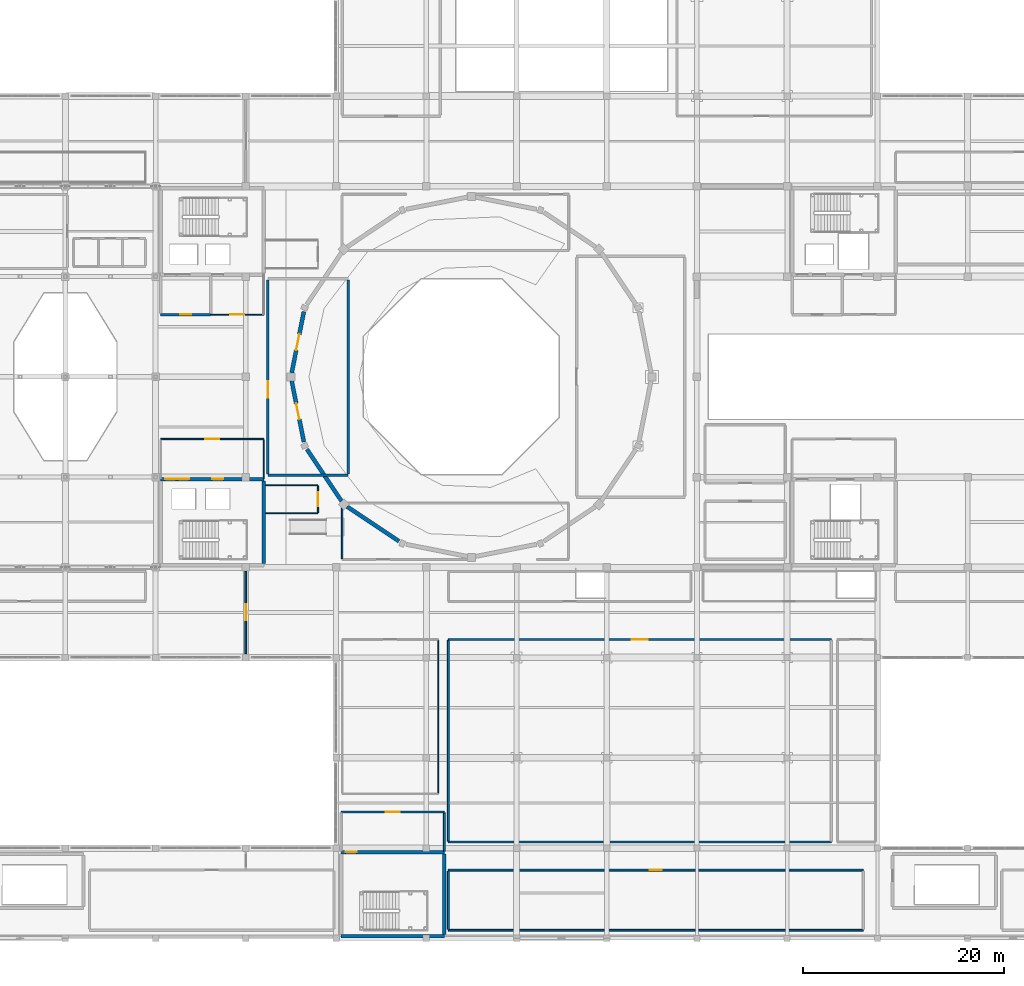
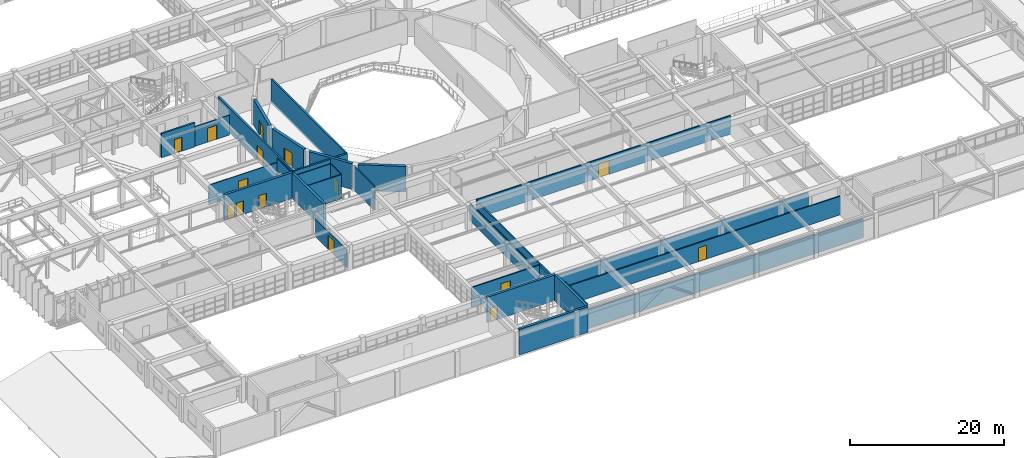
# One storey, part 109 of 130: 30 walls, 15 doors, 15 openings.
"""IFC4 building model written with IfcOpenShell, lengths in metres."""

from ifc_helpers import new_model, si_unit, direction, frame, frame_2d, origin, place, context, subcontext, project, spatial, rectangle, extrude, material, layer, layer_set, type_object, element, fill, save


model = new_model("IFC4")

# Units and contexts
model_context = context("Model", 3, precision=1e-05, world=origin(), true_north=direction((0.0, 1.0)))
body_context = subcontext(model_context, "Body", "Model", "MODEL_VIEW")
ifc_project = project(units=[si_unit("LENGTHUNIT", "METRE"), si_unit("AREAUNIT", "SQUARE_METRE"), si_unit("VOLUMEUNIT", "CUBIC_METRE"), si_unit("PLANEANGLEUNIT", "RADIAN"), si_unit("MASSUNIT", "GRAM", prefix="KILO")], contexts=[model_context])

# Site, building, storey
site_placement = place(None, origin())
site = spatial("IfcSite", under=ifc_project, at=site_placement, CompositionType="ELEMENT")
building_placement = place(site_placement, origin())
building = spatial("IfcBuilding", under=site, at=building_placement, Name="Miravela Opera House", CompositionType="ELEMENT")
storey_placement = place(building_placement, frame((0.0, 0.0, 9.52001953125)))
storey = spatial("IfcBuildingStorey", under=building, at=storey_placement, Name="L02", CompositionType="ELEMENT", Elevation=9.52001953125)

# Wall, opening, door
ifc_material_1 = material(Name="Acoustic metal-stud gypsum partition")
ifc_layer_1 = layer(ifc_material_1, 0.090087890625)
ifc_layer_set_1 = layer_set([ifc_layer_1])
wall_type_1 = type_object("IfcWallType", Name="ARC-PT-090", PredefinedType="PARTITIONING", material=ifc_layer_set_1)
wall_1_placement = place(storey_placement, frame((50.5, 62.199951171875, 0.0), z_axis=(0.0, 0.0, 1.0), x_axis=(1.0, 0.0, 0.0)))
wall_1 = element("IfcWall", 1, at=wall_1_placement, inside=storey, type_object=wall_type_1, Name="Passenger Lift Lobby K1 L02 Partition South", PredefinedType="PARTITIONING", context=body_context, shape_type="SweptSolid", body=[
    extrude(rectangle(XDim=5.300048828125, YDim=0.090087890625, at=frame_2d((2.64990234375, 0.0))), origin(), (0.0, 0.0, 1.0), 3.169921875),
])
opening_1_placement = place(wall_1_placement, frame((1.949951171875, 0.0, 0.0)))
opening_1 = element("IfcOpeningElement", 2, at=opening_1_placement, cuts=wall_1, Name="Opening FD-03", PredefinedType="OPENING", context=body_context, shape_type="SweptSolid", body=[
    extrude(rectangle(XDim=1.39990234375, YDim=2.199951171875, at=frame_2d((0.699951171875, 1.10009765625))), frame((0.0, 0.054931640625, 0.0), z_axis=(0.0, -1.0, 0.0), x_axis=(1.0, 0.0, 0.0)), (0.0, 0.0, 1.0), 0.110107421875),
])
ifc_material_2 = material(Name="Fire-rated lobby/archive double door")
door_type_1 = type_object("IfcDoorType", Name="ARC-FD-1400X2200", OperationType="NOTDEFINED", PredefinedType="DOOR", material=ifc_material_2)
door_1_placement = place(opening_1_placement, frame((1.39990234375, 0.0, 0.0), z_axis=(0.0, 0.0, 1.0), x_axis=(-1.0, 0.0, 0.0)))
door_1 = element("IfcDoor", 3, at=door_1_placement, inside=storey, type_object=door_type_1, Name="Passenger Lift Lobby K1 L02 Entry Door IDR-L02-0214", OperationType="DOUBLE_DOOR_SINGLE_SWING", OverallHeight=2.199951171875, OverallWidth=1.39990234375, PredefinedType="DOOR", context=body_context, shape_type="SweptSolid", body=[
    extrude(rectangle(XDim=1.39990234375, YDim=2.199951171875, at=frame_2d((0.699951171875, 1.10009765625))), frame((0.0, 0.02490234375, 0.0), z_axis=(0.0, -1.0, 0.0), x_axis=(1.0, 0.0, 0.0)), (0.0, 0.0, 1.0), 0.050048828125),
])
fill(opening_1, door_1)

ifc_material_3 = material(Name="Double-layer acoustic gypsum partition")
ifc_layer_2 = layer(ifc_material_3, 0.110107421875)
ifc_layer_set_2 = layer_set([ifc_layer_2])
wall_type_2 = type_object("IfcWallType", Name="ARC-PT-110", PredefinedType="PARTITIONING", material=ifc_layer_set_2)
wall_2_placement = place(storey_placement, frame((45.5, 49.800048828125, 0.0), z_axis=(0.0, 0.0, 1.0), x_axis=(1.0, 0.0, 0.0)))
wall_2 = element("IfcWall", 4, at=wall_2_placement, inside=storey, type_object=wall_type_2, Name="Passenger Lift Lobby K2 L02 Partition North", PredefinedType="PARTITIONING", context=body_context, shape_type="SweptSolid", body=[
    extrude(rectangle(XDim=10.300048828125, YDim=0.110107421875, at=frame_2d((5.14990234375, 0.0))), origin(), (0.0, 0.0, 1.0), 3.139892578125),
])
opening_2_placement = place(wall_2_placement, frame((4.449951171875, 0.0, 0.0)))
opening_2 = element("IfcOpeningElement", 5, at=opening_2_placement, cuts=wall_2, Name="Opening FD-03", PredefinedType="OPENING", context=body_context, shape_type="SweptSolid", body=[
    extrude(rectangle(XDim=1.39990234375, YDim=2.199951171875, at=frame_2d((0.699951171875, 1.10009765625))), frame((0.0, 0.06494140625, 0.0), z_axis=(0.0, -1.0, 0.0), x_axis=(1.0, 0.0, 0.0)), (0.0, 0.0, 1.0), 0.130126953125),
])
door_2_placement = place(opening_2_placement, origin())
door_2 = element("IfcDoor", 6, at=door_2_placement, inside=storey, type_object=door_type_1, Name="Passenger Lift Lobby K2 L02 Entry Door IDR-L02-0215", OperationType="DOUBLE_DOOR_SINGLE_SWING", OverallHeight=2.199951171875, OverallWidth=1.39990234375, PredefinedType="DOOR", context=body_context, shape_type="SweptSolid", body=[
    extrude(rectangle(XDim=1.39990234375, YDim=2.199951171875, at=frame_2d((0.699951171875, 1.10009765625))), frame((0.0, 0.02490234375, 0.0), z_axis=(0.0, -1.0, 0.0), x_axis=(1.0, 0.0, 0.0)), (0.0, 0.0, 1.0), 0.050048828125),
])
fill(opening_2, door_2)

# Walls
wall_3_placement = place(storey_placement, frame((55.800048828125, 45.85498046875, 0.0), z_axis=(0.0, 0.0, 1.0), x_axis=(0.0, 1.0, 0.0)))
element("IfcWall", 7, at=wall_3_placement, inside=storey, type_object=wall_type_2, Name="Passenger Lift Lobby K2 L02 Partition East", PredefinedType="PARTITIONING", context=body_context, shape_type="SweptSolid", body=[
    extrude(rectangle(XDim=3.89013671875, YDim=0.110107421875, at=frame_2d((1.945068359375, 0.0))), origin(), (0.0, 0.0, 1.0), 3.840087890625),
])
for number, where, z_axis, x_axis, name in (
    (8, (55.97509765625, 42.39990234375, 0.0), (0.0, 0.0, 1.0), (1.0, 0.0, 0.0), "Auditorium Balcony Vomitory L02 South Partition South"),
    (9, (55.97509765625, 45.199951171875, 0.0), (0.0, 0.0, 1.0), (1.0, 0.0, 0.0), "Auditorium Balcony Vomitory L02 South Partition North"),
):
    element("IfcWall", number, at=place(storey_placement, frame(where, z_axis=z_axis, x_axis=x_axis)), inside=storey, type_object=wall_type_2, Name=name, PredefinedType="PARTITIONING", context=body_context, shape_type="SweptSolid", body=[
        extrude(rectangle(XDim=5.224853515625, YDim=0.110107421875, at=frame_2d((2.6123046875, 0.0))), origin(), (0.0, 0.0, 1.0), 3.840087890625),
    ])

# Wall, opening, door
wall_4_placement = place(storey_placement, frame((61.199951171875, 42.455078125, 0.0), z_axis=(0.0, 0.0, 1.0), x_axis=(0.0, 1.0, 0.0)))
wall_4 = element("IfcWall", 10, at=wall_4_placement, inside=storey, type_object=wall_type_2, Name="Auditorium Balcony Vomitory L02 South Partition East", PredefinedType="PARTITIONING", context=body_context, shape_type="SweptSolid", body=[
    extrude(rectangle(XDim=2.68994140625, YDim=0.110107421875, at=frame_2d((1.344970703125, 0.0))), origin(), (0.0, 0.0, 1.0), 3.840087890625),
])
opening_3_placement = place(wall_4_placement, frame((0.64501953125, 0.0, 0.0)))
opening_3 = element("IfcOpeningElement", 11, at=opening_3_placement, cuts=wall_4, Name="Opening FD-03", PredefinedType="OPENING", context=body_context, shape_type="SweptSolid", body=[
    extrude(rectangle(XDim=1.39990234375, YDim=2.199951171875, at=frame_2d((0.699951171875, 1.10009765625))), frame((0.0, 0.06494140625, 0.0), z_axis=(0.0, -1.0, 0.0), x_axis=(1.0, 0.0, 0.0)), (0.0, 0.0, 1.0), 0.130126953125),
])
door_3_placement = place(opening_3_placement, frame((1.39990234375, 0.0, 0.0), z_axis=(0.0, 0.0, 1.0), x_axis=(-1.0, 0.0, 0.0)))
door_3 = element("IfcDoor", 12, at=door_3_placement, inside=storey, type_object=door_type_1, Name="Auditorium Balcony Vomitory L02 South Entry Door IDR-L02-0225", OperationType="DOUBLE_DOOR_SINGLE_SWING", OverallHeight=2.199951171875, OverallWidth=1.39990234375, PredefinedType="DOOR", context=body_context, shape_type="SweptSolid", body=[
    extrude(rectangle(XDim=1.39990234375, YDim=2.199951171875, at=frame_2d((0.699951171875, 1.10009765625))), frame((0.0, 0.02490234375, 0.0), z_axis=(0.0, -1.0, 0.0), x_axis=(1.0, 0.0, 0.0)), (0.0, 0.0, 1.0), 0.050048828125),
])
fill(opening_3, door_3)

# Walls
wall_5_placement = place(storey_placement, frame((73.199951171875, 14.455078125, 0.0), z_axis=(0.0, 0.0, 1.0), x_axis=(0.0, 1.0, 0.0)))
element("IfcWall", 13, at=wall_5_placement, inside=storey, type_object=wall_type_2, Name="Historical Period Tailoring Workshop Partition East", PredefinedType="PARTITIONING", context=body_context, shape_type="SweptSolid", body=[
    extrude(rectangle(XDim=15.2900390625, YDim=0.110107421875, at=frame_2d((7.64501953125, 0.0))), origin(), (0.0, 0.0, 1.0), 2.820068359375),
])
ifc_material_4 = material(Name="Studio double-stud acoustic partition")
ifc_layer_3 = layer(ifc_material_4, 0.14990234375)
ifc_layer_set_3 = layer_set([ifc_layer_3])
wall_type_3 = type_object("IfcWallType", Name="ARC-PT-145", PredefinedType="PARTITIONING", material=ifc_layer_set_3)
wall_6_placement = place(storey_placement, frame((63.60009765625, 37.875, 0.0), z_axis=(0.0, 0.0, 1.0), x_axis=(0.0, 1.0, 0.0)))
element("IfcWall", 14, at=wall_6_placement, inside=storey, type_object=wall_type_3, Name="Visiting Chorus Dressing Rooms Partition West", PredefinedType="PARTITIONING", context=body_context, shape_type="SweptSolid", body=[
    extrude(rectangle(XDim=5.449951171875, YDim=0.14990234375, at=frame_2d((2.72509765625, 0.0))), origin(), (0.0, 0.0, 1.0), 3.840087890625),
])

# Wall, opening, door
ifc_material_5 = material(Name="Corridor fire-resisting masonry partition", Category="masonry")
ifc_layer_4 = layer(ifc_material_5, 0.18994140625)
ifc_layer_set_4 = layer_set([ifc_layer_4])
wall_type_4 = type_object("IfcWallType", Name="ARC-PT-190", PredefinedType="PARTITIONING", material=ifc_layer_set_4)
wall_7_placement = place(storey_placement, frame((63.5, 12.60009765625, 0.0), z_axis=(0.0, 0.0, 1.0), x_axis=(1.0, 0.0, 0.0)))
wall_7 = element("IfcWall", 15, at=wall_7_placement, inside=storey, type_object=wall_type_4, Name="Passenger Lift Lobby K6 L02 Partition North", PredefinedType="PARTITIONING", context=body_context, shape_type="SweptSolid", body=[
    extrude(rectangle(XDim=10.300048828125, YDim=0.18994140625, at=frame_2d((5.14990234375, 0.0))), origin(), (0.0, 0.0, 1.0), 3.139892578125),
])
opening_4_placement = place(wall_7_placement, frame((4.449951171875, 0.0, 0.0)))
opening_4 = element("IfcOpeningElement", 16, at=opening_4_placement, cuts=wall_7, Name="Opening FD-03", PredefinedType="OPENING", context=body_context, shape_type="SweptSolid", body=[
    extrude(rectangle(XDim=1.39990234375, YDim=2.199951171875, at=frame_2d((0.699951171875, 1.10009765625))), frame((0.0, 0.10498046875, 0.0), z_axis=(0.0, -1.0, 0.0), x_axis=(1.0, 0.0, 0.0)), (0.0, 0.0, 1.0), 0.2099609375),
])
door_4_placement = place(opening_4_placement, origin())
door_4 = element("IfcDoor", 17, at=door_4_placement, inside=storey, type_object=door_type_1, Name="Passenger Lift Lobby K6 L02 Entry Door IDR-L02-0220", OperationType="DOUBLE_DOOR_SINGLE_SWING", OverallHeight=2.199951171875, OverallWidth=1.39990234375, PredefinedType="DOOR", context=body_context, shape_type="SweptSolid", body=[
    extrude(rectangle(XDim=1.39990234375, YDim=2.199951171875, at=frame_2d((0.699951171875, 1.10009765625))), frame((0.0, 0.02490234375, 0.0), z_axis=(0.0, -1.0, 0.0), x_axis=(1.0, 0.0, 0.0)), (0.0, 0.0, 1.0), 0.050048828125),
])
fill(opening_4, door_4)

# Walls
wall_8_placement = place(storey_placement, frame((73.800048828125, 8.695068359375, 0.0), z_axis=(0.0, 0.0, 1.0), x_axis=(0.0, 1.0, 0.0)))
element("IfcWall", 18, at=wall_8_placement, inside=storey, type_object=wall_type_4, Name="Passenger Lift Lobby K6 L02 Partition East", PredefinedType="PARTITIONING", context=body_context, shape_type="SweptSolid", body=[
    extrude(rectangle(XDim=3.809814453125, YDim=0.18994140625, at=frame_2d((1.90478515625, 0.0))), origin(), (0.0, 0.0, 1.0), 3.070068359375),
])
wall_9_placement = place(storey_placement, frame((74.199951171875, 9.60009765625, 0.0), z_axis=(0.0, 0.0, 1.0), x_axis=(1.0, 0.0, 0.0)))
element("IfcWall", 19, at=wall_9_placement, inside=storey, type_object=wall_type_4, Name="Costume Tailoring and Dyeing Workshop Partition South", PredefinedType="PARTITIONING", context=body_context, shape_type="SweptSolid", body=[
    extrude(rectangle(XDim=38.199951171875, YDim=0.18994140625, at=frame_2d((19.10009765625, 0.0))), origin(), (0.0, 0.0, 1.0), 2.969970703125),
])

# Wall, opening, door
wall_10_placement = place(storey_placement, frame((74.199951171875, 29.800048828125, 0.0), z_axis=(0.0, 0.0, 1.0), x_axis=(1.0, 0.0, 0.0)))
wall_10 = element("IfcWall", 20, at=wall_10_placement, inside=storey, type_object=wall_type_4, Name="Costume Tailoring and Dyeing Workshop Partition North", PredefinedType="PARTITIONING", context=body_context, shape_type="SweptSolid", body=[
    extrude(rectangle(XDim=38.199951171875, YDim=0.18994140625, at=frame_2d((19.10009765625, 0.0))), origin(), (0.0, 0.0, 1.0), 2.93994140625),
])
opening_5_placement = place(wall_10_placement, frame((18.300048828125, 0.0, 0.0)))
opening_5 = element("IfcOpeningElement", 21, at=opening_5_placement, cuts=wall_10, Name="Opening FD-04", PredefinedType="OPENING", context=body_context, shape_type="SweptSolid", body=[
    extrude(rectangle(XDim=1.60009765625, YDim=2.25, at=frame_2d((0.800048828125, 1.125))), frame((0.0, 0.10498046875, 0.0), z_axis=(0.0, -1.0, 0.0), x_axis=(1.0, 0.0, 0.0)), (0.0, 0.0, 1.0), 0.2099609375),
])
ifc_material_6 = material(Name="Fire-rated rehearsal/vomitory double door")
door_type_2 = type_object("IfcDoorType", Name="ARC-FD-1600X2250", OperationType="NOTDEFINED", PredefinedType="DOOR", material=ifc_material_6)
door_5_placement = place(opening_5_placement, origin())
door_5 = element("IfcDoor", 22, at=door_5_placement, inside=storey, type_object=door_type_2, Name="Costume Tailoring and Dyeing Workshop Entry Door IDR-L02-0232", OperationType="DOUBLE_DOOR_SINGLE_SWING", OverallHeight=2.25, OverallWidth=1.60009765625, PredefinedType="DOOR", context=body_context, shape_type="SweptSolid", body=[
    extrude(rectangle(XDim=1.60009765625, YDim=2.25, at=frame_2d((0.800048828125, 1.125))), frame((0.0, 0.02490234375, 0.0), z_axis=(0.0, -1.0, 0.0), x_axis=(1.0, 0.0, 0.0)), (0.0, 0.0, 1.0), 0.050048828125),
])
fill(opening_5, door_5)

# Walls
wall_11_placement = place(storey_placement, frame((74.199951171875, 9.695068359375, 0.0), z_axis=(0.0, 0.0, 1.0), x_axis=(0.0, 1.0, 0.0)))
element("IfcWall", 23, at=wall_11_placement, inside=storey, type_object=wall_type_4, Name="Costume Tailoring and Dyeing Workshop Partition West", PredefinedType="PARTITIONING", context=body_context, shape_type="SweptSolid", body=[
    extrude(rectangle(XDim=20.010009765625, YDim=0.18994140625, at=frame_2d((10.0048828125, 0.0))), origin(), (0.0, 0.0, 1.0), 2.820068359375),
])
wall_12_placement = place(storey_placement, frame((74.199951171875, 0.800048828125, 0.0), z_axis=(0.0, 0.0, 1.0), x_axis=(1.0, 0.0, 0.0)))
element("IfcWall", 24, at=wall_12_placement, inside=storey, type_object=wall_type_4, Name="Stage Lighting Design and Cueing Studio Partition South", PredefinedType="PARTITIONING", context=body_context, shape_type="SweptSolid", body=[
    extrude(rectangle(XDim=41.400146484375, YDim=0.18994140625, at=frame_2d((20.7001953125, 0.0))), origin(), (0.0, 0.0, 1.0), 2.969970703125),
])

# Wall, opening, door
wall_13_placement = place(storey_placement, frame((74.199951171875, 6.800048828125, 0.0), z_axis=(0.0, 0.0, 1.0), x_axis=(1.0, 0.0, 0.0)))
wall_13 = element("IfcWall", 25, at=wall_13_placement, inside=storey, type_object=wall_type_4, Name="Stage Lighting Design and Cueing Studio Partition North", PredefinedType="PARTITIONING", context=body_context, shape_type="SweptSolid", body=[
    extrude(rectangle(XDim=41.400146484375, YDim=0.18994140625, at=frame_2d((20.7001953125, 0.0))), origin(), (0.0, 0.0, 1.0), 2.969970703125),
])
opening_6_placement = place(wall_13_placement, frame((20.10009765625, 0.0, 0.0)))
opening_6 = element("IfcOpeningElement", 26, at=opening_6_placement, cuts=wall_13, Name="Opening ID-04", PredefinedType="OPENING", context=body_context, shape_type="SweptSolid", body=[
    extrude(rectangle(XDim=1.199951171875, YDim=2.199951171875, at=frame_2d((0.60009765625, 1.10009765625))), frame((0.0, 0.10498046875, 0.0), z_axis=(0.0, -1.0, 0.0), x_axis=(1.0, 0.0, 0.0)), (0.0, 0.0, 1.0), 0.2099609375),
])
ifc_material_7 = material(Name="Wide acoustic ensemble door")
door_type_3 = type_object("IfcDoorType", Name="ARC-DR-1200X2200", OperationType="NOTDEFINED", PredefinedType="DOOR", material=ifc_material_7)
door_6_placement = place(opening_6_placement, frame((1.199951171875, 0.0, 0.0), z_axis=(0.0, 0.0, 1.0), x_axis=(-1.0, 0.0, 0.0)))
door_6 = element("IfcDoor", 27, at=door_6_placement, inside=storey, type_object=door_type_3, Name="Stage Lighting Design and Cueing Studio Entry Door IDR-L02-0250", OperationType="SINGLE_SWING_RIGHT", OverallHeight=2.199951171875, OverallWidth=1.199951171875, PredefinedType="DOOR", context=body_context, shape_type="SweptSolid", body=[
    extrude(rectangle(XDim=1.199951171875, YDim=2.199951171875, at=frame_2d((0.60009765625, 1.10009765625))), frame((0.0, 0.02490234375, 0.0), z_axis=(0.0, -1.0, 0.0), x_axis=(1.0, 0.0, 0.0)), (0.0, 0.0, 1.0), 0.050048828125),
])
fill(opening_6, door_6)

# Wall
wall_14_placement = place(storey_placement, frame((74.199951171875, 0.89501953125, 0.0), z_axis=(0.0, 0.0, 1.0), x_axis=(0.0, 1.0, 0.0)))
element("IfcWall", 28, at=wall_14_placement, inside=storey, type_object=wall_type_4, Name="Stage Lighting Design and Cueing Studio Partition West", PredefinedType="PARTITIONING", context=body_context, shape_type="SweptSolid", body=[
    extrude(rectangle(XDim=5.81005859375, YDim=0.18994140625, at=frame_2d((2.905029296875, 0.0))), origin(), (0.0, 0.0, 1.0), 3.840087890625),
])

# Wall, opening, door
wall_15_placement = place(storey_placement, frame((54.0, 28.39990234375, 0.0), z_axis=(0.0, 0.0, 1.0), x_axis=(0.0, 1.0, 0.0)))
wall_15 = element("IfcWall", 29, at=wall_15_placement, inside=storey, type_object=wall_type_4, Name="Corridor Fire Smoke Compartment Partition PT-SMOKE-L02-0966", PredefinedType="PARTITIONING", context=body_context, shape_type="SweptSolid", body=[
    extrude(rectangle(XDim=8.2001953125, YDim=0.18994140625, at=frame_2d((4.10009765625, 0.0))), origin(), (0.0, 0.0, 1.0), 2.820068359375),
])
opening_7_placement = place(wall_15_placement, frame((3.300048828125, 0.0, 0.0)))
opening_7 = element("IfcOpeningElement", 30, at=opening_7_placement, cuts=wall_15, Name="Opening FD-04", PredefinedType="OPENING", context=body_context, shape_type="SweptSolid", body=[
    extrude(rectangle(XDim=1.60009765625, YDim=2.25, at=frame_2d((0.800048828125, 1.125))), frame((0.0, 0.10498046875, 0.0), z_axis=(0.0, -1.0, 0.0), x_axis=(1.0, 0.0, 0.0)), (0.0, 0.0, 1.0), 0.2099609375),
])
door_7_placement = place(opening_7_placement, frame((1.60009765625, 0.0, 0.0), z_axis=(0.0, 0.0, 1.0), x_axis=(-1.0, 0.0, 0.0)))
door_7 = element("IfcDoor", 31, at=door_7_placement, inside=storey, type_object=door_type_2, Name="Corridor Smoke Compartment Door 10 IDR-L02-0356", OperationType="DOUBLE_DOOR_SINGLE_SWING", OverallHeight=2.25, OverallWidth=1.60009765625, PredefinedType="DOOR", context=body_context, shape_type="SweptSolid", body=[
    extrude(rectangle(XDim=1.60009765625, YDim=2.25, at=frame_2d((0.800048828125, 1.125))), frame((0.0, 0.02490234375, 0.0), z_axis=(0.0, -1.0, 0.0), x_axis=(1.0, 0.0, 0.0)), (0.0, 0.0, 1.0), 0.050048828125),
])
fill(opening_7, door_7)

ifc_material_8 = material(Name="Firefighting lobby compartment wall")
ifc_layer_5 = layer(ifc_material_8, 0.25)
ifc_layer_set_5 = layer_set([ifc_layer_5])
wall_type_5 = type_object("IfcWallType", Name="ARC-PT-220", PredefinedType="PARTITIONING", material=ifc_layer_set_5)
wall_16_placement = place(storey_placement, frame((45.5, 62.199951171875, 0.0), z_axis=(0.0, 0.0, 1.0), x_axis=(1.0, 0.0, 0.0)))
wall_16 = element("IfcWall", 32, at=wall_16_placement, inside=storey, type_object=wall_type_5, Name="Firefighting Lobby K1 L02 Partition South", PredefinedType="PARTITIONING", context=body_context, shape_type="SweptSolid", body=[
    extrude(rectangle(XDim=5.0, YDim=0.25, at=frame_2d((2.5, 0.0))), origin(), (0.0, 0.0, 1.0), 3.840087890625),
])
opening_8_placement = place(wall_16_placement, frame((1.949951171875, 0.0, 0.0)))
opening_8 = element("IfcOpeningElement", 33, at=opening_8_placement, cuts=wall_16, Name="Opening FD-01", PredefinedType="OPENING", context=body_context, shape_type="SweptSolid", body=[
    extrude(rectangle(XDim=1.10009765625, YDim=2.199951171875, at=frame_2d((0.550048828125, 1.10009765625))), frame((0.0, 0.135009765625, 0.0), z_axis=(0.0, -1.0, 0.0), x_axis=(1.0, 0.0, 0.0)), (0.0, 0.0, 1.0), 0.27001953125),
])
ifc_material_9 = material(Name="Fire-rated steel/hardwood exit stair door", Category="steel")
door_type_4 = type_object("IfcDoorType", Name="ARC-FD-1100X2200", OperationType="NOTDEFINED", PredefinedType="DOOR", material=ifc_material_9)
door_8_placement = place(opening_8_placement, frame((1.10009765625, 0.0, 0.0), z_axis=(0.0, 0.0, 1.0), x_axis=(-1.0, 0.0, 0.0)))
door_8 = element("IfcDoor", 34, at=door_8_placement, inside=storey, type_object=door_type_4, Name="Firefighting Lobby K1 L02 Entry Door IDR-L02-0213", OperationType="SINGLE_SWING_LEFT", OverallHeight=2.199951171875, OverallWidth=1.10009765625, PredefinedType="DOOR", context=body_context, shape_type="SweptSolid", body=[
    extrude(rectangle(XDim=1.10009765625, YDim=2.199951171875, at=frame_2d((0.550048828125, 1.10009765625))), frame((0.0, 0.02490234375, 0.0), z_axis=(0.0, -1.0, 0.0), x_axis=(1.0, 0.0, 0.0)), (0.0, 0.0, 1.0), 0.050048828125),
])
fill(opening_8, door_8)

# Wall
wall_17_placement = place(storey_placement, frame((56.199951171875, 46.199951171875, 0.0), z_axis=(0.0, 0.0, 1.0), x_axis=(1.0, 0.0, 0.0)))
element("IfcWall", 35, at=wall_17_placement, inside=storey, type_object=wall_type_5, Name="Opera Auditorium West Dress Circle Salon Partition South", PredefinedType="PARTITIONING", context=body_context, shape_type="SweptSolid", body=[
    extrude(rectangle(XDim=8.0, YDim=0.25, at=frame_2d((4.0, 0.0))), origin(), (0.0, 0.0, 1.0), 3.840087890625),
])

# Wall, opening, door
wall_18_placement = place(storey_placement, frame((56.199951171875, 46.324951171875, 0.0), z_axis=(0.0, 0.0, 1.0), x_axis=(0.0, 1.0, 0.0)))
wall_18 = element("IfcWall", 36, at=wall_18_placement, inside=storey, type_object=wall_type_5, Name="Opera Auditorium West Dress Circle Salon Partition West", PredefinedType="PARTITIONING", context=body_context, shape_type="SweptSolid", body=[
    extrude(rectangle(XDim=19.35009765625, YDim=0.25, at=frame_2d((9.675048828125, 0.0))), origin(), (0.0, 0.0, 1.0), 3.840087890625),
])
opening_9_placement = place(wall_18_placement, frame((7.606689453125, 0.0, 0.0)))
opening_9 = element("IfcOpeningElement", 37, at=opening_9_placement, cuts=wall_18, Name="Opening FD-04", PredefinedType="OPENING", context=body_context, shape_type="SweptSolid", body=[
    extrude(rectangle(XDim=1.60009765625, YDim=2.25, at=frame_2d((0.800048828125, 1.125))), frame((0.0, 0.135009765625, 0.0), z_axis=(0.0, -1.0, 0.0), x_axis=(1.0, 0.0, 0.0)), (0.0, 0.0, 1.0), 0.27001953125),
])
door_9_placement = place(opening_9_placement, frame((1.60009765625, 0.0, 0.0), z_axis=(0.0, 0.0, 1.0), x_axis=(-1.0, 0.0, 0.0)))
door_9 = element("IfcDoor", 38, at=door_9_placement, inside=storey, type_object=door_type_2, Name="Opera Auditorium West Dress Circle Salon Entry Door IDR-L02-0235", OperationType="DOUBLE_DOOR_SINGLE_SWING", OverallHeight=2.25, OverallWidth=1.60009765625, PredefinedType="DOOR", context=body_context, shape_type="SweptSolid", body=[
    extrude(rectangle(XDim=1.60009765625, YDim=2.25, at=frame_2d((0.800048828125, 1.125))), frame((0.0, 0.02490234375, 0.0), z_axis=(0.0, -1.0, 0.0), x_axis=(1.0, 0.0, 0.0)), (0.0, 0.0, 1.0), 0.050048828125),
])
fill(opening_9, door_9)

# Wall
wall_19_placement = place(storey_placement, frame((64.199951171875, 46.324951171875, 0.0), z_axis=(0.0, 0.0, 1.0), x_axis=(0.0, 1.0, 0.0)))
element("IfcWall", 39, at=wall_19_placement, inside=storey, type_object=wall_type_5, Name="Opera Auditorium West Dress Circle Salon Partition East", PredefinedType="PARTITIONING", context=body_context, shape_type="SweptSolid", body=[
    extrude(rectangle(XDim=19.35009765625, YDim=0.25, at=frame_2d((9.675048828125, 0.0))), origin(), (0.0, 0.0, 1.0), 3.840087890625),
])

# Wall, openings, doors
ifc_material_10 = material(Name="Concrete C40/50", Category="concrete")
ifc_layer_6 = layer(ifc_material_10, 0.35009765625)
ifc_layer_set_6 = layer_set([ifc_layer_6])
wall_type_6 = type_object("IfcWallType", Name="STR-WALL-CORE-350", PredefinedType="SHEAR", material=ifc_layer_set_6)
wall_20_placement = place(storey_placement, frame((45.5, 45.800048828125, 0.0), z_axis=(0.0, 0.0, 1.0), x_axis=(1.0, 0.0, 0.0)))
wall_20 = element("IfcWall", 40, at=wall_20_placement, inside=storey, type_object=wall_type_6, Name="Core K2 Shear Wall North (L02)", PredefinedType="SHEAR", context=body_context, shape_type="SweptSolid", body=[
    extrude(rectangle(XDim=10.300048828125, YDim=0.35009765625, at=frame_2d((5.14990234375, 0.0))), origin(), (0.0, 0.0, 1.0), 4.080078125),
])
opening_10_placement = place(wall_20_placement, frame((0.449951171875, 0.0, 0.0)))
opening_10 = element("IfcOpeningElement", 41, at=opening_10_placement, cuts=wall_20, Name="Opening FD-01", PredefinedType="OPENING", context=body_context, shape_type="SweptSolid", body=[
    extrude(rectangle(XDim=1.10009765625, YDim=2.199951171875, at=frame_2d((0.550048828125, 1.10009765625))), frame((0.0, 0.18505859375, 0.0), z_axis=(0.0, -1.0, 0.0), x_axis=(1.0, 0.0, 0.0)), (0.0, 0.0, 1.0), 0.3701171875),
])
opening_11_placement = place(wall_20_placement, frame((1.739990234375, 0.0, 0.0)))
opening_11 = element("IfcOpeningElement", 42, at=opening_11_placement, cuts=wall_20, Name="Opening LD-02", PredefinedType="OPENING", context=body_context, shape_type="SweptSolid", body=[
    extrude(rectangle(XDim=1.1201171875, YDim=2.159912109375, at=frame_2d((0.56005859375, 1.080078125))), frame((0.0, 0.18505859375, 0.0), z_axis=(0.0, -1.0, 0.0), x_axis=(1.0, 0.0, 0.0)), (0.0, 0.0, 1.0), 0.3701171875),
])
opening_12_placement = place(wall_20_placement, frame((5.139892578125, 0.0, 0.0)))
opening_12 = element("IfcOpeningElement", 43, at=opening_12_placement, cuts=wall_20, Name="Opening LD-02", PredefinedType="OPENING", context=body_context, shape_type="SweptSolid", body=[
    extrude(rectangle(XDim=1.1201171875, YDim=2.159912109375, at=frame_2d((0.56005859375, 1.080078125))), frame((0.0, 0.18505859375, 0.0), z_axis=(0.0, -1.0, 0.0), x_axis=(1.0, 0.0, 0.0)), (0.0, 0.0, 1.0), 0.3701171875),
])
door_10_placement = place(opening_10_placement, frame((1.10009765625, 0.0, 0.0), z_axis=(0.0, 0.0, 1.0), x_axis=(-1.0, 0.0, 0.0)))
door_10 = element("IfcDoor", 44, at=door_10_placement, inside=storey, type_object=door_type_4, Name="Exit Stair ST-02 Rated Door (L02) IDR-L02-0011", OperationType="SINGLE_SWING_LEFT", OverallHeight=2.199951171875, OverallWidth=1.10009765625, PredefinedType="DOOR", context=body_context, shape_type="SweptSolid", body=[
    extrude(rectangle(XDim=1.10009765625, YDim=2.199951171875, at=frame_2d((0.550048828125, 1.10009765625))), frame((0.0, 0.02490234375, 0.0), z_axis=(0.0, -1.0, 0.0), x_axis=(1.0, 0.0, 0.0)), (0.0, 0.0, 1.0), 0.050048828125),
])
fill(opening_10, door_10)
ifc_material_11 = material(Name="Brushed stainless and bronze fire-rated lift landing door")
door_type_5 = type_object("IfcDoorType", Name="ARC-LD-PAX-1100X2150", OperationType="SLIDING_TO_LEFT", PredefinedType="DOOR", material=ifc_material_11)
door_11_placement = place(opening_11_placement, origin())
door_11 = element("IfcDoor", 45, at=door_11_placement, inside=storey, type_object=door_type_5, Name="Lift Landing Door PL-02 (L02)", OperationType="SLIDING_TO_LEFT", OverallHeight=2.159912109375, OverallWidth=1.1201171875, PredefinedType="DOOR", context=body_context, shape_type="SweptSolid", body=[
    extrude(rectangle(XDim=1.1201171875, YDim=2.159912109375, at=frame_2d((0.56005859375, 1.080078125))), frame((0.0, 0.02490234375, 0.0), z_axis=(0.0, -1.0, 0.0), x_axis=(1.0, 0.0, 0.0)), (0.0, 0.0, 1.0), 0.050048828125),
])
fill(opening_11, door_11)
door_12_placement = place(opening_12_placement, origin())
door_12 = element("IfcDoor", 46, at=door_12_placement, inside=storey, type_object=door_type_5, Name="Lift Landing Door PL-03 (L02)", OperationType="SLIDING_TO_LEFT", OverallHeight=2.159912109375, OverallWidth=1.1201171875, PredefinedType="DOOR", context=body_context, shape_type="SweptSolid", body=[
    extrude(rectangle(XDim=1.1201171875, YDim=2.159912109375, at=frame_2d((0.56005859375, 1.080078125))), frame((0.0, 0.02490234375, 0.0), z_axis=(0.0, -1.0, 0.0), x_axis=(1.0, 0.0, 0.0)), (0.0, 0.0, 1.0), 0.050048828125),
])
fill(opening_12, door_12)

# Walls
wall_21_placement = place(storey_placement, frame((55.800048828125, 37.375, 0.0), z_axis=(0.0, 0.0, 1.0), x_axis=(0.0, 1.0, 0.0)))
element("IfcWall", 47, at=wall_21_placement, inside=storey, type_object=wall_type_6, Name="Core K2 Shear Wall East (L02)", PredefinedType="SHEAR", context=body_context, shape_type="SweptSolid", body=[
    extrude(rectangle(XDim=8.25, YDim=0.35009765625, at=frame_2d((4.125, 0.0))), origin(), (0.0, 0.0, 1.0), 4.080078125),
])
wall_22_placement = place(storey_placement, frame((63.5, 0.199951171875, 0.0), z_axis=(0.0, 0.0, 1.0), x_axis=(1.0, 0.0, 0.0)))
element("IfcWall", 48, at=wall_22_placement, inside=storey, type_object=wall_type_6, Name="Core K6 Shear Wall South (L02)", PredefinedType="SHEAR", context=body_context, shape_type="SweptSolid", body=[
    extrude(rectangle(XDim=10.300048828125, YDim=0.35009765625, at=frame_2d((5.14990234375, 0.0))), origin(), (0.0, 0.0, 1.0), 4.080078125),
])

# Wall, opening, door
wall_23_placement = place(storey_placement, frame((63.5, 8.60009765625, 0.0), z_axis=(0.0, 0.0, 1.0), x_axis=(1.0, 0.0, 0.0)))
wall_23 = element("IfcWall", 49, at=wall_23_placement, inside=storey, type_object=wall_type_6, Name="Core K6 Shear Wall North (L02)", PredefinedType="SHEAR", context=body_context, shape_type="SweptSolid", body=[
    extrude(rectangle(XDim=10.300048828125, YDim=0.35009765625, at=frame_2d((5.14990234375, 0.0))), origin(), (0.0, 0.0, 1.0), 4.080078125),
])
opening_13_placement = place(wall_23_placement, frame((0.449951171875, 0.0, 0.0)))
opening_13 = element("IfcOpeningElement", 50, at=opening_13_placement, cuts=wall_23, Name="Opening FD-01", PredefinedType="OPENING", context=body_context, shape_type="SweptSolid", body=[
    extrude(rectangle(XDim=1.10009765625, YDim=2.199951171875, at=frame_2d((0.550048828125, 1.10009765625))), frame((0.0, 0.18505859375, 0.0), z_axis=(0.0, -1.0, 0.0), x_axis=(1.0, 0.0, 0.0)), (0.0, 0.0, 1.0), 0.3701171875),
])
door_13_placement = place(opening_13_placement, frame((1.10009765625, 0.0, 0.0), z_axis=(0.0, 0.0, 1.0), x_axis=(-1.0, 0.0, 0.0)))
door_13 = element("IfcDoor", 51, at=door_13_placement, inside=storey, type_object=door_type_4, Name="Exit Stair ST-06 Rated Door (L02) IDR-L02-0039", OperationType="SINGLE_SWING_LEFT", OverallHeight=2.199951171875, OverallWidth=1.10009765625, PredefinedType="DOOR", context=body_context, shape_type="SweptSolid", body=[
    extrude(rectangle(XDim=1.10009765625, YDim=2.199951171875, at=frame_2d((0.550048828125, 1.10009765625))), frame((0.0, 0.02490234375, 0.0), z_axis=(0.0, -1.0, 0.0), x_axis=(1.0, 0.0, 0.0)), (0.0, 0.0, 1.0), 0.050048828125),
])
fill(opening_13, door_13)

# Wall
wall_24_placement = place(storey_placement, frame((73.800048828125, 0.375, 0.0), z_axis=(0.0, 0.0, 1.0), x_axis=(0.0, 1.0, 0.0)))
element("IfcWall", 52, at=wall_24_placement, inside=storey, type_object=wall_type_6, Name="Core K6 Shear Wall East (L02)", PredefinedType="SHEAR", context=body_context, shape_type="SweptSolid", body=[
    extrude(rectangle(XDim=8.050048828125, YDim=0.35009765625, at=frame_2d((4.02490234375, 0.0))), origin(), (0.0, 0.0, 1.0), 4.080078125),
])

# Wall, opening, door
ifc_layer_7 = layer(ifc_material_10, 0.39990234375)
ifc_layer_set_7 = layer_set([ifc_layer_7])
wall_type_7 = type_object("IfcWallType", Name="STR-WALL-DRUM-400", PredefinedType="SHEAR", material=ifc_layer_set_7)
wall_25_placement = place(storey_placement, frame((59.792236328125, 62.49609375, 0.0), z_axis=(0.0, 0.0, 1.0), x_axis=(-0.195127752786, -0.980777834218, 0.0)))
wall_25 = element("IfcWall", 53, at=wall_25_placement, inside=storey, type_object=wall_type_7, Name="Auditorium Drum Shear Wall L02 Seg 8", PredefinedType="SHEAR", context=body_context, shape_type="SweptSolid", body=[
    extrude(rectangle(XDim=6.223388671875, YDim=0.39990234375, at=frame_2d((3.11181640625, 0.0))), origin(), (0.0, 0.0, 1.0), 4.080078125),
])
opening_14_placement = place(wall_25_placement, frame((2.3115234375, 0.0, 0.0)))
opening_14 = element("IfcOpeningElement", 54, at=opening_14_placement, cuts=wall_25, Name="Opening FD-04", PredefinedType="OPENING", context=body_context, shape_type="SweptSolid", body=[
    extrude(rectangle(XDim=1.60009765625, YDim=2.25, at=frame_2d((0.800048828125, 1.125))), frame((0.0, 0.2099609375, 0.0), z_axis=(0.0, -1.0, 0.0), x_axis=(1.0, 0.0, 0.0)), (0.0, 0.0, 1.0), 0.419921875),
])
door_14_placement = place(opening_14_placement, frame((1.60009765625, 0.0, 0.0), z_axis=(0.0, 0.0, 1.0), x_axis=(-1.0, 0.0, 0.0)))
door_14 = element("IfcDoor", 55, at=door_14_placement, inside=storey, type_object=door_type_2, Name="Auditorium Drum Acoustic Vestibule Door L02-S8 IDR-L02-0362", OperationType="DOUBLE_DOOR_SINGLE_SWING", OverallHeight=2.25, OverallWidth=1.60009765625, PredefinedType="DOOR", context=body_context, shape_type="SweptSolid", body=[
    extrude(rectangle(XDim=1.60009765625, YDim=2.25, at=frame_2d((0.800048828125, 1.125))), frame((0.0, 0.02490234375, 0.0), z_axis=(0.0, -1.0, 0.0), x_axis=(1.0, 0.0, 0.0)), (0.0, 0.0, 1.0), 0.050048828125),
])
fill(opening_14, door_14)

wall_26_placement = place(storey_placement, frame((58.577880859375, 55.607666015625, 0.0), z_axis=(0.0, 0.0, 1.0), x_axis=(0.195127752786, -0.980777834218, 0.0)))
wall_26 = element("IfcWall", 56, at=wall_26_placement, inside=storey, type_object=wall_type_7, Name="Auditorium Drum Shear Wall L02 Seg 9", PredefinedType="SHEAR", context=body_context, shape_type="SweptSolid", body=[
    extrude(rectangle(XDim=6.223388671875, YDim=0.39990234375, at=frame_2d((3.11181640625, 0.0))), origin(), (0.0, 0.0, 1.0), 4.080078125),
])
opening_15_placement = place(wall_26_placement, frame((2.3115234375, 0.0, 0.0)))
opening_15 = element("IfcOpeningElement", 57, at=opening_15_placement, cuts=wall_26, Name="Opening FD-04", PredefinedType="OPENING", context=body_context, shape_type="SweptSolid", body=[
    extrude(rectangle(XDim=1.60009765625, YDim=2.25, at=frame_2d((0.800048828125, 1.125))), frame((0.0, 0.2099609375, 0.0), z_axis=(0.0, -1.0, 0.0), x_axis=(1.0, 0.0, 0.0)), (0.0, 0.0, 1.0), 0.419921875),
])
door_15_placement = place(opening_15_placement, frame((1.60009765625, 0.0, 0.0), z_axis=(0.0, 0.0, 1.0), x_axis=(-1.0, 0.0, 0.0)))
door_15 = element("IfcDoor", 58, at=door_15_placement, inside=storey, type_object=door_type_2, Name="Auditorium Drum Acoustic Vestibule Door L02-S9 IDR-L02-0363", OperationType="DOUBLE_DOOR_SINGLE_SWING", OverallHeight=2.25, OverallWidth=1.60009765625, PredefinedType="DOOR", context=body_context, shape_type="SweptSolid", body=[
    extrude(rectangle(XDim=1.60009765625, YDim=2.25, at=frame_2d((0.800048828125, 1.125))), frame((0.0, 0.02490234375, 0.0), z_axis=(0.0, -1.0, 0.0), x_axis=(1.0, 0.0, 0.0)), (0.0, 0.0, 1.0), 0.050048828125),
])
fill(opening_15, door_15)

# Walls
for number, where, z_axis, x_axis, name in (
    (59, (60.09228515625, 48.779052734375, 0.0), (0.0, 0.0, 1.0), (0.555587101324, -0.831458341015, 0.0), "Auditorium Drum Shear Wall L02 Seg 10"),
    (60, (64.104736328125, 43.0498046875, 0.0), (0.0, 0.0, 1.0), (0.831458341015, -0.555587101324, 0.0), "Auditorium Drum Shear Wall L02 Seg 11"),
):
    element("IfcWall", number, at=place(storey_placement, frame(where, z_axis=z_axis, x_axis=x_axis)), inside=storey, type_object=wall_type_7, Name=name, PredefinedType="SHEAR", context=body_context, shape_type="SweptSolid", body=[
        extrude(rectangle(XDim=6.22314453125, YDim=0.39990234375, at=frame_2d((3.111572265625, 0.0))), origin(), (0.0, 0.0, 1.0), 4.080078125),
    ])

save(model, "model.ifc")
